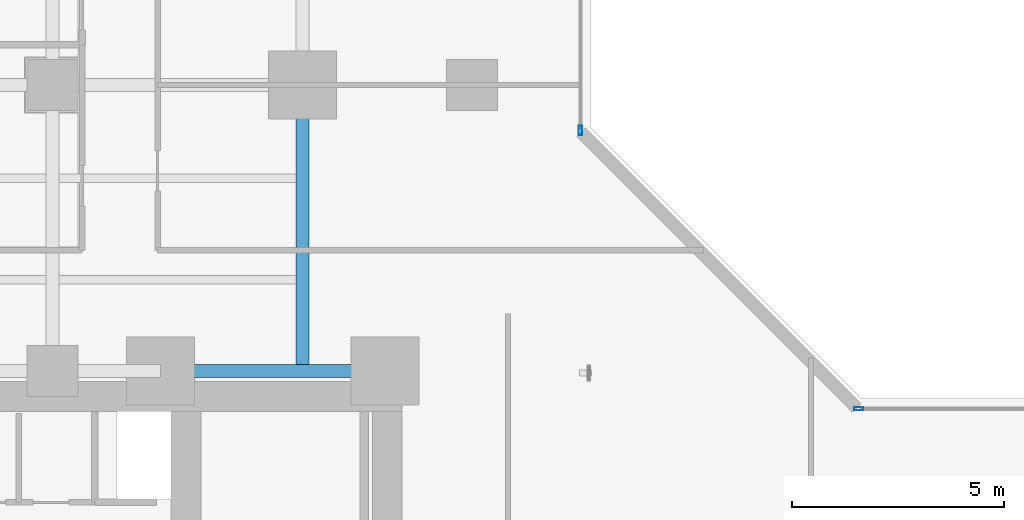
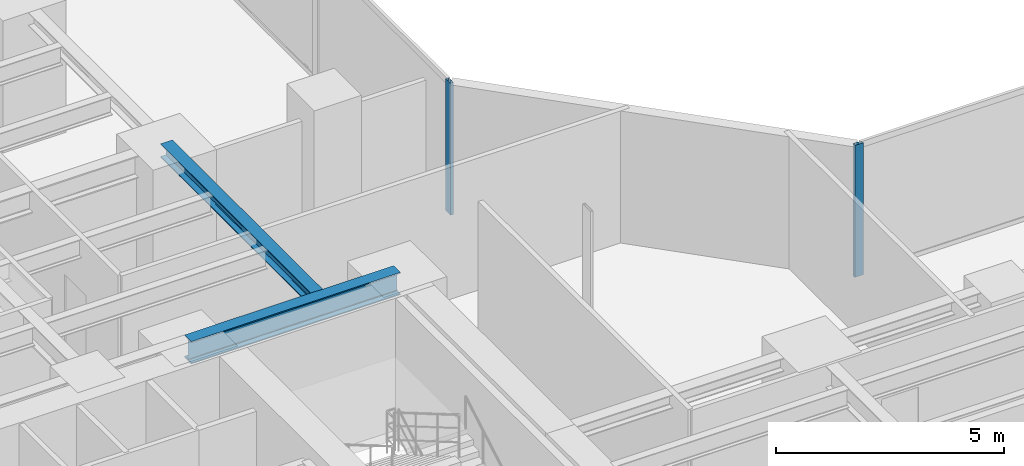
# One storey, part 8 of 26: 2 beams, 2 members, 2 elements without a shape of their own.
"""IFC4 building model written with IfcOpenShell, lengths in metres."""

from ifc_helpers import new_model, si_unit, direction, frame, origin, origin_with_axes, origin_2d, place, context, subcontext, project, spatial, hollow_rectangle, i_section, extrude, source, transform, mapped, material, layer, layer_set, material_profile, profile_set, type_object, element, aggregate, save


model = new_model("IFC4")

# Units and contexts
model_context = context("Model", 3, precision=1e-05, world=origin(), true_north=direction((0.0, 1.0)))
body_context = subcontext(model_context, "Body", "Model", "MODEL_VIEW")
ifc_project = project(units=[si_unit("LENGTHUNIT", "METRE"), si_unit("AREAUNIT", "SQUARE_METRE"), si_unit("VOLUMEUNIT", "CUBIC_METRE"), si_unit("PLANEANGLEUNIT", "RADIAN"), si_unit("MASSUNIT", "GRAM", prefix="KILO")], contexts=[model_context])

# Site, building, storey
site_placement = place(None, origin())
site = spatial("IfcSite", under=ifc_project, at=site_placement, CompositionType="ELEMENT")
building_placement = place(site_placement, origin())
building = spatial("IfcBuilding", under=site, at=building_placement, Name="Kolvaren Waterfront Exchange", CompositionType="ELEMENT")
storey_placement = place(building_placement, frame((0.0, 0.0, 44.800048828125)))
storey = spatial("IfcBuildingStorey", under=building, at=storey_placement, Name="L11", CompositionType="ELEMENT", Elevation=44.800048828125)

# Beams
ifc_material_1 = material(Name="Steel S355", Category="steel")
ifc_material_profile_1 = material_profile(ifc_material_1, i_section(OverallWidth=0.300048828125, OverallDepth=0.360107421875, WebThickness=0.012451171875, FlangeThickness=0.0224609375, FilletRadius=0.027099609375, at=origin_2d()), Name="HEB360")
ifc_profile_set_1 = profile_set([ifc_material_profile_1], Name="Steel S355")
beam_type_1 = type_object("IfcBeamType", Name="STR-BM-HEB360", PredefinedType="SPANDREL", material=ifc_profile_set_1)
beam_1_placement = place(storey_placement, frame((18.800048828125, 24.449951171875, 3.35986328125), z_axis=(0.0, 1.0, 0.0), x_axis=(-1.0, 0.0, 0.0)))
element("IfcBeam", 1, at=beam_1_placement, inside=storey, type_object=beam_type_1, Name="L11 north-arm edge beam 1", PredefinedType="SPANDREL", context=body_context, shape_type="SweptSolid", body=[
    extrude(i_section(OverallWidth=0.300048828125, OverallDepth=0.360107421875, WebThickness=0.012451171875, FlangeThickness=0.0224609375, FilletRadius=0.027099609375, at=origin_2d()), origin(), (0.0, 0.0, 1.0), 6.75),
])
ifc_material_profile_2 = material_profile(ifc_material_1, i_section(OverallWidth=0.300048828125, OverallDepth=0.60009765625, WebThickness=0.015380859375, FlangeThickness=0.030029296875, FilletRadius=0.027099609375, at=origin_2d()), Name="HEB600")
ifc_profile_set_2 = profile_set([ifc_material_profile_2], Name="Steel S355")
beam_type_2 = type_object("IfcBeamType", Name="STR-BM-HEB600", PredefinedType="BEAM", material=ifc_profile_set_2)
beam_2_placement = place(storey_placement, frame((15.449951171875, 24.449951171875, 3.239990234375), z_axis=(1.0, 0.0, 0.0), x_axis=(0.0, 1.0, 0.0)))
element("IfcBeam", 2, at=beam_2_placement, inside=storey, type_object=beam_type_2, Name="L11 north-arm girder 1C", PredefinedType="BEAM", context=body_context, shape_type="SweptSolid", body=[
    extrude(i_section(OverallWidth=0.300048828125, OverallDepth=0.60009765625, WebThickness=0.015380859375, FlangeThickness=0.030029296875, FilletRadius=0.027099609375, at=origin_2d()), origin(), (0.0, 0.0, 1.0), 5.300048828125),
])

# Curtain wall, member
ifc_material_2 = material(Name="Anodised bronze aluminium 6063-T6", Category="aluminium")
ifc_layer = layer(ifc_material_2, 0.219970703125, Name="Anodised bronze aluminium 6063-T6")
ifc_layer_set = layer_set([ifc_layer], Name="Anodised bronze aluminium 6063-T6")
curtain_wall_type = type_object("IfcCurtainWallType", Name="ARC-CW-SYS1", PredefinedType="USERDEFINED", material=ifc_layer_set)
curtain_wall_1_placement = place(storey_placement, origin())
curtain_wall_1 = element("IfcCurtainWall", 3, at=curtain_wall_1_placement, inside=storey, type_object=curtain_wall_type, Name="L11 stick curtain wall CW1 (CW-L11-NE)", ObjectType="STICK CURTAIN WALL", PredefinedType="USERDEFINED")
ifc_material_3 = material(Name="Anodised aluminium 6063-T6", Category="aluminium")
ifc_material_profile_3 = material_profile(ifc_material_3, hollow_rectangle(XDim=0.080078125, YDim=0.219970703125, WallThickness=0.0048828125, at=origin_2d()), Name="ALU-MUL-220x80x5")
ifc_profile_set_3 = profile_set([ifc_material_profile_3], Name="Anodised aluminium 6063-T6")
member_type = type_object("IfcMemberType", Name="ARC-CWM-220", PredefinedType="MULLION", material=ifc_profile_set_3)
shared_shape = source(origin_with_axes(), body_context, "Body", "SweptSolid", [
    extrude(hollow_rectangle(XDim=0.080078125, YDim=0.219970703125, WallThickness=0.0048828125, at=origin_2d()), origin(), (0.0, 0.0, 1.0), 3.5400390625),
])
member_1_placement = place(storey_placement, frame((25.360107421875, 30.1298828125, 0.0), z_axis=(0.0, 0.0, 1.0), x_axis=(-1.0, 0.0, 0.0)))
member_1 = element("IfcMember", 4, at=member_1_placement, type_object=member_type, Name="CW1 mullion 1", PredefinedType="MULLION", context=body_context, shape_type="MappedRepresentation", body=[
    mapped(shared_shape, transform((0.0, 0.0, 0.0), x_axis=(1.0, 0.0, 0.0), y_axis=(0.0, 1.0, 0.0), z_axis=(0.0, 0.0, 1.0), scale=1.0)),
])
aggregate(curtain_wall_1, [member_1])

curtain_wall_2_placement = place(storey_placement, origin())
curtain_wall_2 = element("IfcCurtainWall", 5, at=curtain_wall_2_placement, inside=storey, type_object=curtain_wall_type, Name="L11 stick curtain wall CW1 (CW-L11-EN)", ObjectType="STICK CURTAIN WALL", PredefinedType="USERDEFINED")
member_2_placement = place(storey_placement, frame((31.929931640625, 23.56005859375, 0.0), z_axis=(0.0, 0.0, 1.0), x_axis=(0.0, 1.0, 0.0)))
member_2 = element("IfcMember", 6, at=member_2_placement, type_object=member_type, Name="CW1 mullion 1", PredefinedType="MULLION", context=body_context, shape_type="MappedRepresentation", body=[
    mapped(shared_shape, transform((0.0, 0.0, 0.0), x_axis=(1.0, 0.0, 0.0), y_axis=(0.0, 1.0, 0.0), z_axis=(0.0, 0.0, 1.0), scale=1.0)),
])
aggregate(curtain_wall_2, [member_2])

save(model, "model.ifc")
